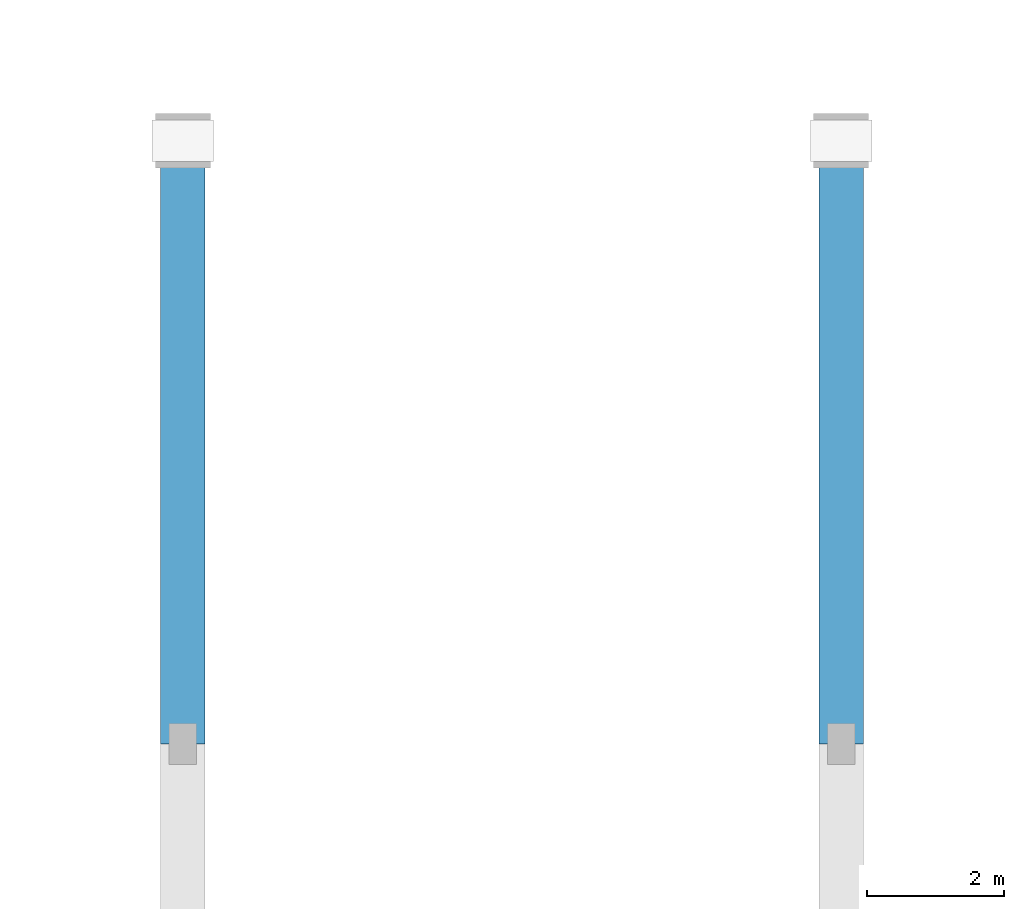
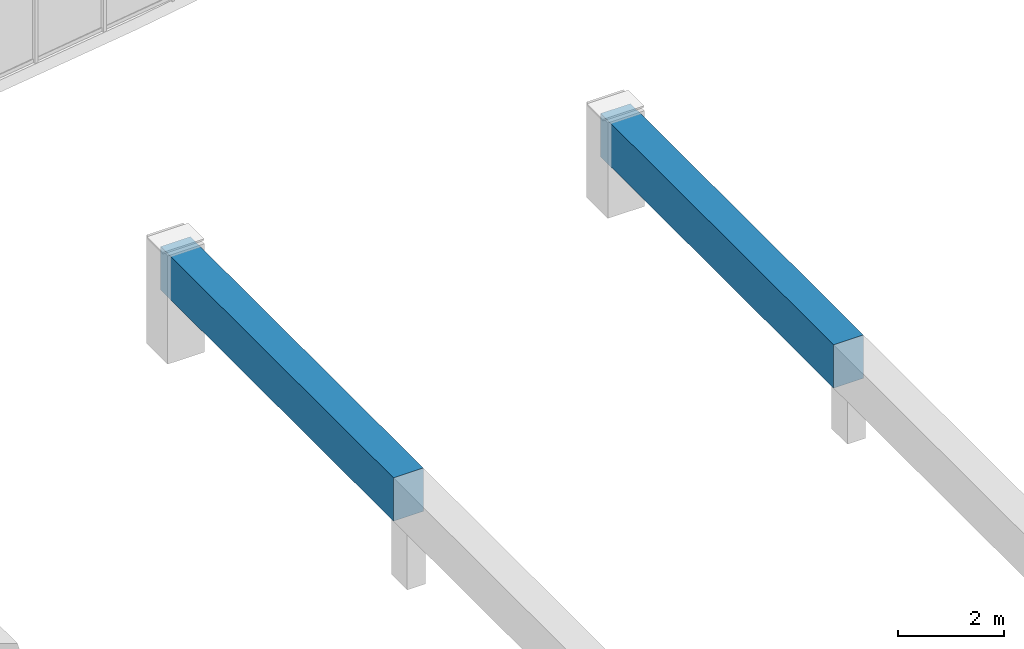
# One storey, part 28 of 65: 2 beams.
"""IFC4 building model written with IfcOpenShell, lengths in metres."""

import ifcopenshell
import ifcopenshell.guid

model = None  # the IFC model being written
_history = None  # IfcOwnerHistory: only IFC2X3 demands one
_inside = {}  # id of a spatial element -> (the spatial element, [elements in it])
_under = {}  # id of a project, library or spatial element -> (it, [spatial elements below it])
_declared = {}  # id of a project -> (the project, [libraries it declares])
_typed = {}  # id of a type object -> (the type object, [elements of that type])
_made_of = {}  # id of a material, layer set ... -> (it, [elements and type objects made of it])


def new_model(schema):
    """Start an empty IFC model of exactly this schema.

    Asked for "IFC4X3", IfcOpenShell would pick the latest addendum, in which some entities
    have other attributes; the version numbers below select the first issue.
    IFC2X3 requires an IfcOwnerHistory on every rooted entity: one is made here for all.
    """
    global model, _history
    if schema == "IFC4X3":
        model = ifcopenshell.file(schema_version=(4, 3, 0, 0))
    else:
        model = ifcopenshell.file(schema=schema)
    _inside.clear()
    _under.clear()
    _declared.clear()
    _typed.clear()
    _made_of.clear()
    _history = None
    if model.schema == "IFC2X3":
        org = make("IfcOrganization", Name="unknown")
        user = make(
            "IfcPersonAndOrganization",
            ThePerson=make("IfcPerson", FamilyName="unknown"),
            TheOrganization=org,
        )
        app = make(
            "IfcApplication",
            ApplicationDeveloper=org,
            Version="unknown",
            ApplicationFullName="unknown",
            ApplicationIdentifier="unknown",
        )
        _history = make(
            "IfcOwnerHistory",
            OwningUser=user,
            OwningApplication=app,
            ChangeAction="ADDED",
            CreationDate=0,
        )
    return model


def make(cls, **values):
    """One entity of the class cls with the attributes given. An attribute that is None is left unset."""
    return model.create_entity(
        cls, **{name: value for name, value in values.items() if value is not None}
    )


def rooted(cls, **values):
    """An entity with a GlobalId (a new one), such as an element, a storey or a relation."""
    return make(cls, GlobalId=ifcopenshell.guid.new(), OwnerHistory=_history, **values)


def si_unit(unit_type, name, prefix=None):
    """IfcSIUnit, for example si_unit("LENGTHUNIT", "METRE", prefix="MILLI")."""
    return make("IfcSIUnit", UnitType=unit_type, Prefix=prefix, Name=name)


def assignment(units):
    """IfcUnitAssignment: the units of a project."""
    return None if units is None else make("IfcUnitAssignment", Units=units)


def point(xyz):
    """IfcCartesianPoint."""
    return None if xyz is None else make("IfcCartesianPoint", Coordinates=xyz)


def direction(xyz):
    """IfcDirection."""
    return None if xyz is None else make("IfcDirection", DirectionRatios=xyz)


def frame(location, z_axis=None, x_axis=None):
    """IfcAxis2Placement3D, a coordinate frame: its origin and axes. An axis left out is left unset."""
    return make(
        "IfcAxis2Placement3D",
        Location=point(location),
        Axis=direction(z_axis),
        RefDirection=direction(x_axis),
    )


def frame_2d(location, x_axis=None):
    """IfcAxis2Placement2D, a coordinate frame in the plane: its origin and x axis."""
    return make(
        "IfcAxis2Placement2D", Location=point(location), RefDirection=direction(x_axis)
    )


def origin():
    """The frame at (0, 0, 0) with its axes left unset."""
    return frame((0.0, 0.0, 0.0))


def origin_2d():
    """The frame at (0, 0) in the plane with its x axis left unset."""
    return frame_2d((0.0, 0.0))


def place(relative_to, where):
    """IfcLocalPlacement: puts the frame where relative to a parent placement (None: the world)."""
    return make(
        "IfcLocalPlacement", PlacementRelTo=relative_to, RelativePlacement=where
    )


def context(
    kind, dimensions, precision=None, world=None, true_north=None, identifier=None
):
    """IfcGeometricRepresentationContext, for example the 3D "Model" context."""
    return make(
        "IfcGeometricRepresentationContext",
        ContextIdentifier=identifier,
        ContextType=kind,
        CoordinateSpaceDimension=dimensions,
        Precision=precision,
        WorldCoordinateSystem=world,
        TrueNorth=true_north,
    )


def subcontext(parent, identifier, kind, view, scale=None):
    """IfcGeometricRepresentationSubContext, for example "Body" below "Model"."""
    return make(
        "IfcGeometricRepresentationSubContext",
        ContextIdentifier=identifier,
        ContextType=kind,
        ParentContext=parent,
        TargetScale=scale,
        TargetView=view,
    )


def project(units=None, contexts=None):
    """IfcProject with its units and contexts."""
    return rooted(
        "IfcProject",
        Name="project",
        RepresentationContexts=contexts,
        UnitsInContext=assignment(units),
    )


def spatial(cls, under=None, at=None, **own):
    """A site, building, storey or space (cls), placed at a placement, below another one or the project."""
    s = rooted(cls, ObjectPlacement=at, **own)
    if under is not None:
        _under.setdefault(under.id(), (under, []))[1].append(s)
    return s


def profile(cls, at=None, kind="AREA", **sizes):
    """A parametric profile (cls). Its sizes go by their IFC names, for example OverallWidth=200.0."""
    return make(cls, ProfileType=kind, Position=at, **sizes)


def rectangle(**sizes):
    """IfcRectangleProfileDef."""
    return profile("IfcRectangleProfileDef", **sizes)


def extrude(swept, where, along, depth):
    """IfcExtrudedAreaSolid: the profile swept, set in the frame where, extruded along a direction by depth."""
    return make(
        "IfcExtrudedAreaSolid",
        SweptArea=swept,
        Position=where,
        ExtrudedDirection=direction(along),
        Depth=depth,
    )


def shape(context_of_items, identifier, shape_type, items):
    """IfcShapeRepresentation: the items that make up one representation, for example the "Body"."""
    return make(
        "IfcShapeRepresentation",
        ContextOfItems=context_of_items,
        RepresentationIdentifier=identifier,
        RepresentationType=shape_type,
        Items=items,
    )


def material(Name=None, Category=None):
    """IfcMaterial."""
    return make("IfcMaterial", Name=Name, Category=Category)


def material_profile(
    of_material, cross_section, Name=None, Category=None, Priority=None
):
    """IfcMaterialProfile: a cross section and its material."""
    return make(
        "IfcMaterialProfile",
        Name=Name,
        Material=of_material,
        Profile=cross_section,
        Priority=Priority,
        Category=Category,
    )


def profile_set(profiles, Name=None, composite=None):
    """IfcMaterialProfileSet."""
    return make(
        "IfcMaterialProfileSet",
        Name=Name,
        MaterialProfiles=profiles,
        CompositeProfile=composite,
    )


def made_of(thing, what):
    """Note that an element or type object is made of a material, layer set ...; save() writes the relation."""
    if what is not None:
        _made_of.setdefault(what.id(), (what, []))[1].append(thing)
    return thing


def type_object(cls, material=None, **own):
    """A type object (cls), such as IfcWallType, which elements share."""
    return made_of(rooted(cls, **own), material)


def element(
    cls,
    number,
    at=None,
    inside=None,
    cuts=None,
    type_object=None,
    material=None,
    context=None,
    identifier="Body",
    shape_type=None,
    held_by="IfcProductDefinitionShape",
    body=None,
    shapes=None,
    **own,
):
    """One element of the class cls, such as IfcWall. Its Tag is "e" and its number.

    at: its placement. inside: the storey or other place that contains it. cuts: it is an
    opening in that element (IfcRelVoidsElement). A single representation is given by context,
    identifier, shape_type and body (its items); several are given by shapes. held_by: the class
    of the entity that holds the representations. save() writes the other relations.
    """
    e = rooted(cls, Tag="e%d" % number, ObjectPlacement=at, **own)
    if body is not None:
        shapes = [shape(context, identifier, shape_type, body)]
    if shapes is not None:
        e.Representation = make(held_by, Representations=shapes)
    if inside is not None:
        _inside.setdefault(inside.id(), (inside, []))[1].append(e)
    if cuts is not None:
        rooted(
            "IfcRelVoidsElement", RelatingBuildingElement=cuts, RelatedOpeningElement=e
        )
    if type_object is not None:
        _typed.setdefault(type_object.id(), (type_object, []))[1].append(e)
    return made_of(e, material)


def aggregate(whole, parts):
    """IfcRelAggregates: a whole, such as a stair, and the parts it consists of."""
    return rooted("IfcRelAggregates", RelatingObject=whole, RelatedObjects=parts)


def save(model, path):
    """Write the relations noted so far, then the file.

    IfcRelAggregates (storeys below a building ...), IfcRelContainedInSpatialStructure (elements
    in a storey), IfcRelDefinesByType, IfcRelAssociatesMaterial and IfcRelDeclares: one each for
    every whole, place, type object, material and project.
    """
    for whole, parts in _under.values():
        aggregate(whole, parts)
    for where, things in _inside.values():
        rooted(
            "IfcRelContainedInSpatialStructure",
            RelatedElements=things,
            RelatingStructure=where,
        )
    for kind, things in _typed.values():
        rooted("IfcRelDefinesByType", RelatedObjects=things, RelatingType=kind)
    for what, things in _made_of.values():
        rooted("IfcRelAssociatesMaterial", RelatedObjects=things, RelatingMaterial=what)
    for by, libraries in _declared.values():
        rooted("IfcRelDeclares", RelatingContext=by, RelatedDefinitions=libraries)
    model.write(path)


model = new_model("IFC4")

# Units and contexts
model_context = context("Model", 3, precision=1e-05, world=origin(), true_north=direction((0.0, 1.0)))
body_context = subcontext(model_context, "Body", "Model", "MODEL_VIEW")
ifc_project = project(units=[si_unit("LENGTHUNIT", "METRE"), si_unit("AREAUNIT", "SQUARE_METRE"), si_unit("VOLUMEUNIT", "CUBIC_METRE"), si_unit("PLANEANGLEUNIT", "RADIAN"), si_unit("MASSUNIT", "GRAM", prefix="KILO")], contexts=[model_context])

# Site, building, storey
site_placement = place(None, origin())
site = spatial("IfcSite", under=ifc_project, at=site_placement, CompositionType="ELEMENT")
building_placement = place(site_placement, origin())
building = spatial("IfcBuilding", under=site, at=building_placement, Name="Chalmorin Arch Market", CompositionType="ELEMENT")
storey_placement = place(building_placement, frame((0.0, 0.0, 14.10009765625)))
storey = spatial("IfcBuildingStorey", under=building, at=storey_placement, Name="L03", CompositionType="ELEMENT", Elevation=14.10009765625)

# Beams
ifc_material = material(Name="Concrete C50/60", Category="concrete")
ifc_material_profile = material_profile(ifc_material, rectangle(XDim=0.64990234375, YDim=1.0, at=origin_2d()), Name="RC650X1000")
ifc_profile_set = profile_set([ifc_material_profile], Name="Concrete C50/60")
beam_type = type_object("IfcBeamType", Name="ArchTieGirder-650x1000", PredefinedType="BEAM", material=ifc_profile_set)
for number, where, z_axis, x_axis, name in (
    (1, (96.0, 50.0, 1.947021484375), (0.0, 1.0, 0.0), (-1.0, 0.0, 0.0), "ATG-01-1698"),
    (2, (105.60009765625, 50.0, 1.654541015625), (0.0, 1.0, 0.0), (-1.0, 0.0, 0.0), "ATG-01-1717"),
):
    element("IfcBeam", number, at=place(storey_placement, frame(where, z_axis=z_axis, x_axis=x_axis)), inside=storey, type_object=beam_type, Name=name, PredefinedType="BEAM", context=body_context, shape_type="SweptSolid", body=[
        extrude(rectangle(XDim=0.64990234375, YDim=1.0, at=origin_2d()), origin(), (0.0, 0.0, 1.0), 8.800048828125),
    ])

save(model, "model.ifc")
